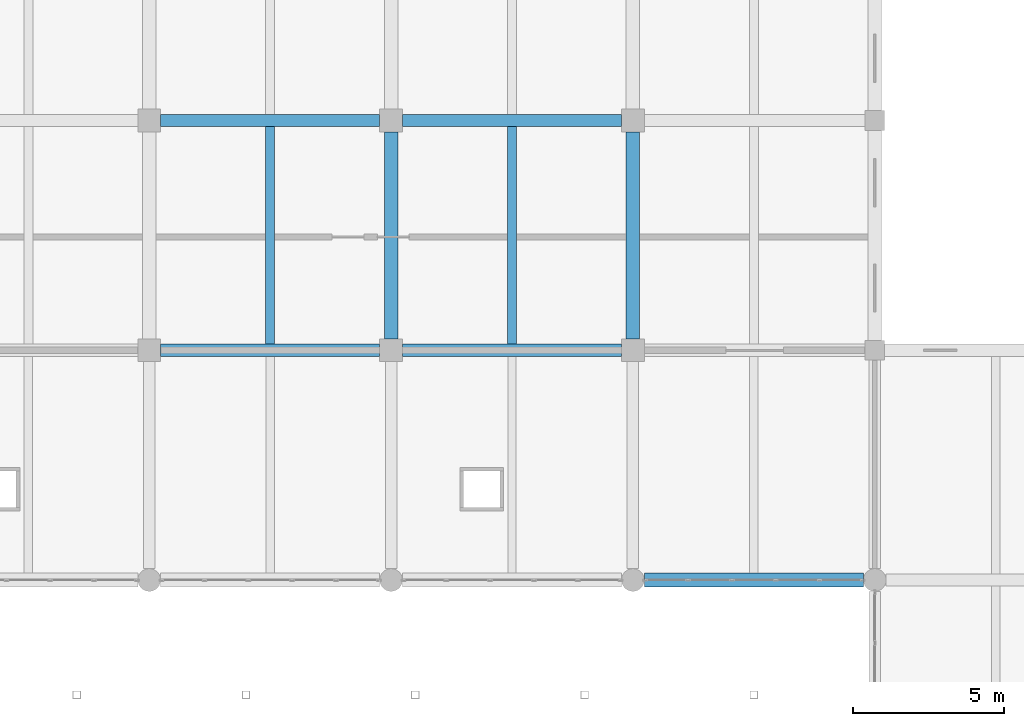
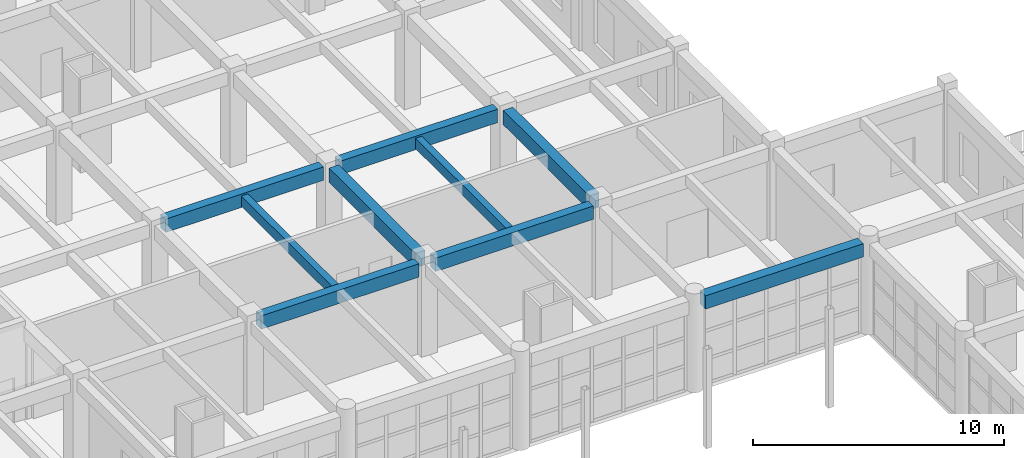
# One storey, part 58 of 101: 9 beams.
"""IFC4 building model written with IfcOpenShell, lengths in metres."""

from ifc_helpers import new_model, si_unit, direction, frame, origin, origin_2d, place, context, subcontext, project, spatial, rectangle, extrude, material, material_profile, profile_set, type_object, element, save


model = new_model("IFC4")

# Units and contexts
model_context = context("Model", 3, precision=1e-05, world=origin(), true_north=direction((0.0, 1.0)))
body_context = subcontext(model_context, "Body", "Model", "MODEL_VIEW")
ifc_project = project(units=[si_unit("LENGTHUNIT", "METRE"), si_unit("AREAUNIT", "SQUARE_METRE"), si_unit("VOLUMEUNIT", "CUBIC_METRE"), si_unit("PLANEANGLEUNIT", "RADIAN"), si_unit("MASSUNIT", "GRAM", prefix="KILO")], contexts=[model_context])

# Site, building, storey
site_placement = place(None, origin())
site = spatial("IfcSite", under=ifc_project, at=site_placement, CompositionType="ELEMENT")
building_placement = place(site_placement, origin())
building = spatial("IfcBuilding", under=site, at=building_placement, Name="Zantavel Square City Hall", CompositionType="ELEMENT")
storey_placement = place(building_placement, frame((0.0, 0.0, 5.39990234375)))
storey = spatial("IfcBuildingStorey", under=building, at=storey_placement, Name="L02", CompositionType="ELEMENT", Elevation=5.39990234375)

# Beams
ifc_material = material(Name="Concrete C35/45", Category="concrete")
ifc_material_profile_1 = material_profile(ifc_material, rectangle(XDim=0.449951171875, YDim=0.64990234375, at=origin_2d()), Name="RC 450x650")
ifc_profile_set_1 = profile_set([ifc_material_profile_1], Name="Concrete C35/45")
beam_type_1 = type_object("IfcBeamType", Name="Courtyard Cloister Girder RC 450x650 C35/45", PredefinedType="BEAM", material=ifc_profile_set_1)
beam_placement = place(storey_placement, frame((144.375, 68.39990234375, 4.125), z_axis=(1.0, 0.0, 0.0), x_axis=(0.0, 1.0, 0.0)))
element("IfcBeam", 1, at=beam_placement, inside=storey, type_object=beam_type_1, Name="L02 Girder BMX-L02-1440-0684", PredefinedType="BEAM", context=body_context, shape_type="SweptSolid", body=[
    extrude(rectangle(XDim=0.449951171875, YDim=0.64990234375, at=origin_2d()), origin(), (0.0, 0.0, 1.0), 7.25),
])
ifc_material_profile_2 = material_profile(ifc_material, rectangle(XDim=0.300048828125, YDim=0.5, at=origin_2d()), Name="RC 300x500")
ifc_profile_set_2 = profile_set([ifc_material_profile_2], Name="Concrete C35/45")
beam_type_2 = type_object("IfcBeamType", Name="Floor Joist RC 300x500 C35/45", PredefinedType="JOIST", material=ifc_profile_set_2)
for number, where, z_axis, x_axis, name in (
    (2, (132.0, 76.199951171875, 4.2001953125), (0.0, 1.0, 0.0), (-1.0, 0.0, 0.0), "L02 Floor Joist JST-L02-1320-0760"),
    (3, (140.0, 76.199951171875, 4.2001953125), (0.0, 1.0, 0.0), (-1.0, 0.0, 0.0), "L02 Floor Joist JST-L02-1400-0760"),
):
    element("IfcBeam", number, at=place(storey_placement, frame(where, z_axis=z_axis, x_axis=x_axis)), inside=storey, type_object=beam_type_2, Name=name, PredefinedType="JOIST", context=body_context, shape_type="SweptSolid", body=[
        extrude(rectangle(XDim=0.300048828125, YDim=0.5, at=origin_2d()), origin(), (0.0, 0.0, 1.0), 7.199951171875),
    ])
ifc_material_profile_3 = material_profile(ifc_material, rectangle(XDim=0.39990234375, YDim=0.64990234375, at=origin_2d()), Name="RC 400x650")
ifc_profile_set_3 = profile_set([ifc_material_profile_3], Name="Concrete C35/45")
beam_type_3 = type_object("IfcBeamType", Name="Frame Beam RC 400x650 C35/45", PredefinedType="BEAM", material=ifc_profile_set_3)
for number, where, z_axis, x_axis, name in (
    (4, (128.375, 76.0, 4.125), (1.0, 0.0, 0.0), (0.0, 1.0, 0.0), "L02 Girder BMX-L02-1280-0760"),
    (5, (128.375, 83.60009765625, 4.215087890625), (1.0, 0.0, 0.0), (0.0, 1.0, 0.0), "L02 Girder BMX-L02-1280-0836"),
    (6, (136.375, 76.0, 4.125), (1.0, 0.0, 0.0), (0.0, 1.0, 0.0), "L02 Girder BMX-L02-1360-0760"),
    (7, (136.375, 83.60009765625, 4.215087890625), (1.0, 0.0, 0.0), (0.0, 1.0, 0.0), "L02 Girder BMX-L02-1360-0836"),
):
    element("IfcBeam", number, at=place(storey_placement, frame(where, z_axis=z_axis, x_axis=x_axis)), inside=storey, type_object=beam_type_3, Name=name, PredefinedType="BEAM", context=body_context, shape_type="SweptSolid", body=[
        extrude(rectangle(XDim=0.39990234375, YDim=0.64990234375, at=origin_2d()), origin(), (0.0, 0.0, 1.0), 7.25),
    ])
ifc_material_profile_4 = material_profile(ifc_material, rectangle(XDim=0.449951171875, YDim=0.699951171875, at=origin_2d()), Name="RC 450x700")
ifc_profile_set_4 = profile_set([ifc_material_profile_4], Name="Concrete C35/45")
beam_type_4 = type_object("IfcBeamType", Name="Primary Girder RC 450x700 C35/45", PredefinedType="BEAM", material=ifc_profile_set_4)
for number, where, z_axis, x_axis, name in (
    (8, (136.0, 76.375, 4.190185546875), (0.0, 1.0, 0.0), (-1.0, 0.0, 0.0), "L02 Beam BMY-L02-1360-0760"),
    (9, (144.0, 76.375, 4.190185546875), (0.0, 1.0, 0.0), (-1.0, 0.0, 0.0), "L02 Beam BMY-L02-1440-0760"),
):
    element("IfcBeam", number, at=place(storey_placement, frame(where, z_axis=z_axis, x_axis=x_axis)), inside=storey, type_object=beam_type_4, Name=name, PredefinedType="BEAM", context=body_context, shape_type="SweptSolid", body=[
        extrude(rectangle(XDim=0.449951171875, YDim=0.699951171875, at=origin_2d()), origin(), (0.0, 0.0, 1.0), 6.85009765625),
    ])

save(model, "model.ifc")
